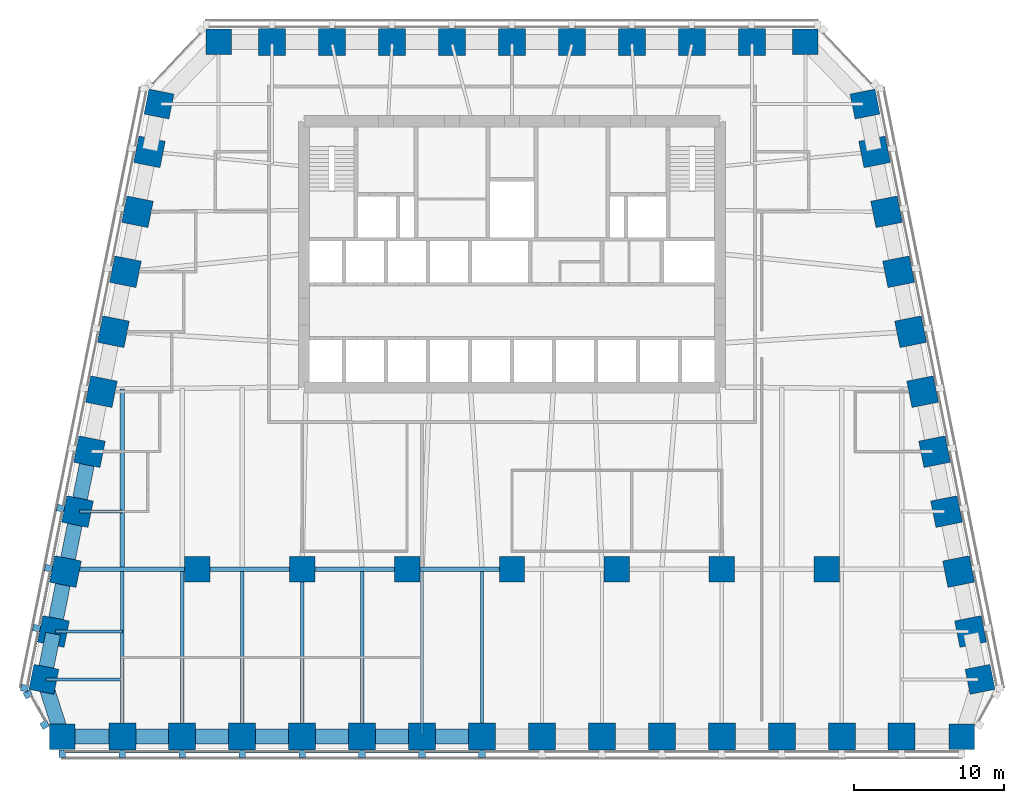
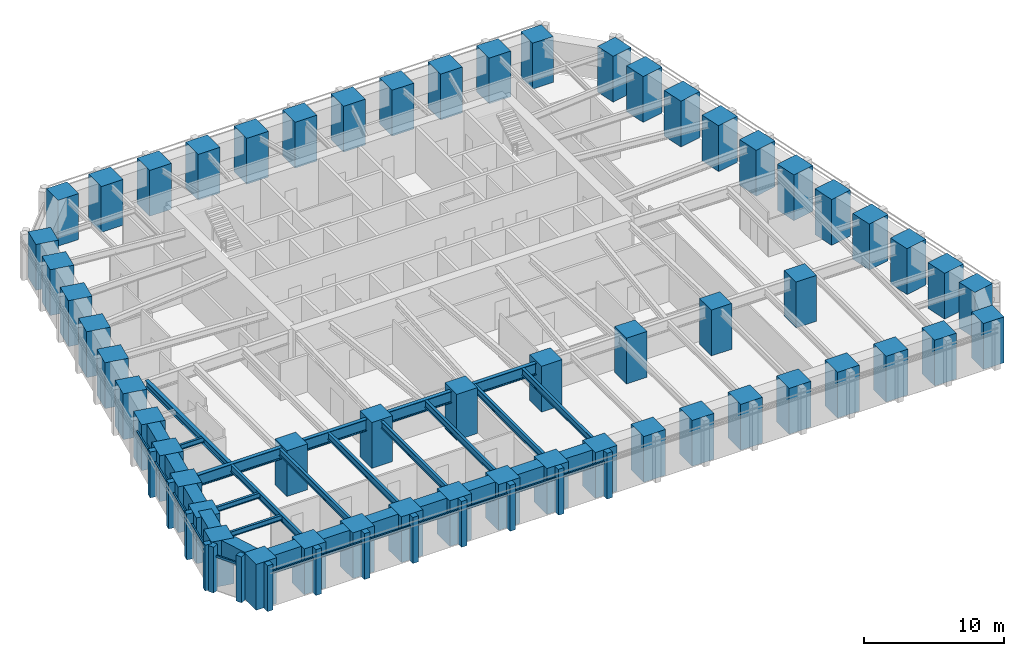
# One storey, part 1 of 10: 56 columns, 27 beams, 26 members, 3 elements without a shape of their own.
"""IFC4 building model written with IfcOpenShell, lengths in metres."""

from ifc_helpers import new_model, si_unit, direction, frame, origin, origin_2d, place, context, subcontext, project, spatial, rectangle, i_section, extrude, material, material_profile, profile_set, type_object, element, aggregate, save


model = new_model("IFC4")

# Units and contexts
model_context = context("Model", 3, precision=1e-05, world=origin(), true_north=direction((0.0, 1.0)))
body_context = subcontext(model_context, "Body", "Model", "MODEL_VIEW")
ifc_project = project(units=[si_unit("LENGTHUNIT", "METRE"), si_unit("AREAUNIT", "SQUARE_METRE"), si_unit("VOLUMEUNIT", "CUBIC_METRE"), si_unit("PLANEANGLEUNIT", "RADIAN"), si_unit("MASSUNIT", "GRAM", prefix="KILO")], contexts=[model_context])

# Site, building, storey
site_placement = place(None, origin())
site = spatial("IfcSite", under=ifc_project, at=site_placement, CompositionType="ELEMENT")
building_placement = place(site_placement, origin())
building = spatial("IfcBuilding", under=site, at=building_placement, Name="Isbrekke Arena Tower", CompositionType="ELEMENT")
storey_placement = place(building_placement, frame((0.0, 0.0, 103.0)))
storey = spatial("IfcBuildingStorey", under=building, at=storey_placement, Name="L22", CompositionType="ELEMENT", Elevation=103.0)

# Columns
ifc_material_1 = material(Name="Concrete B80 (C80/95)", Category="concrete")
ifc_material_profile_1 = material_profile(ifc_material_1, rectangle(XDim=1.699951171875, YDim=1.699951171875, at=origin_2d()), Name="RC 1700x1700")
ifc_profile_set_1 = profile_set([ifc_material_profile_1], Name="Concrete B80 (C80/95)")
column_type_1 = type_object("IfcColumnType", Name="C12 RC 1700 x 1700", PredefinedType="COLUMN", material=ifc_profile_set_1)
for number, where, z_axis, x_axis, name in (
    (1, (-21.0, -6.0, 0.0), (0.0, 0.0, 1.0), (1.0, 0.0, 0.0), "C12 I01"),
    (2, (-14.0, -6.0, 0.0), (0.0, 0.0, 1.0), (1.0, 0.0, 0.0), "C12 I02"),
    (3, (-7.0, -6.0, 0.0), (0.0, 0.0, 1.0), (1.0, 0.0, 0.0), "C12 I03"),
    (4, (0.0, -6.0, 0.0), (0.0, 0.0, 1.0), (1.0, 0.0, 0.0), "C12 I04"),
    (5, (7.0, -6.0, 0.0), (0.0, 0.0, 1.0), (1.0, 0.0, 0.0), "C12 I05"),
    (6, (14.0, -6.0, 0.0), (0.0, 0.0, 1.0), (1.0, 0.0, 0.0), "C12 I06"),
    (7, (21.0, -6.0, 0.0), (0.0, 0.0, 1.0), (1.0, 0.0, 0.0), "C12 I07"),
):
    element("IfcColumn", number, at=place(storey_placement, frame(where, z_axis=z_axis, x_axis=x_axis)), inside=storey, type_object=column_type_1, Name=name, PredefinedType="COLUMN", context=body_context, shape_type="SweptSolid", body=[
        extrude(rectangle(XDim=1.699951171875, YDim=1.699951171875, at=origin_2d()), origin(), (0.0, 0.0, 1.0), 4.0),
    ])
ifc_material_2 = material(Name="Concrete B80 (C80/95)", Category="concrete")
ifc_material_profile_2 = material_profile(ifc_material_2, rectangle(XDim=1.800048828125, YDim=1.800048828125, at=origin_2d()), Name="RC 1800x1800")
ifc_profile_set_2 = profile_set([ifc_material_profile_2], Name="Concrete B80 (C80/95)")
column_type_2 = type_object("IfcColumnType", Name="C3 RC 1800 x 1800", PredefinedType="COLUMN", material=ifc_profile_set_2)
for number, where, z_axis, x_axis, name in (
    (8, (-26.0, -17.175048828125, 0.0), (0.0, 0.0, 1.0), (1.0, 0.0, 0.0), "C3 S02"),
    (9, (-22.0, -17.175048828125, 0.0), (0.0, 0.0, 1.0), (1.0, 0.0, 0.0), "C3 S03"),
    (10, (-18.0, -17.175048828125, 0.0), (0.0, 0.0, 1.0), (1.0, 0.0, 0.0), "C3 S04"),
    (11, (-14.0, -17.175048828125, 0.0), (0.0, 0.0, 1.0), (1.0, 0.0, 0.0), "C3 S05"),
    (12, (-10.0, -17.175048828125, 0.0), (0.0, 0.0, 1.0), (1.0, 0.0, 0.0), "C3 S06"),
    (13, (-6.0, -17.175048828125, 0.0), (0.0, 0.0, 1.0), (1.0, 0.0, 0.0), "C3 S07"),
    (14, (-2.0, -17.175048828125, 0.0), (0.0, 0.0, 1.0), (1.0, 0.0, 0.0), "C3 S08"),
    (15, (2.0, -17.175048828125, 0.0), (0.0, 0.0, 1.0), (1.0, 0.0, 0.0), "C3 S09"),
    (16, (6.0, -17.175048828125, 0.0), (0.0, 0.0, 1.0), (1.0, 0.0, 0.0), "C3 S10"),
    (17, (10.0, -17.175048828125, 0.0), (0.0, 0.0, 1.0), (1.0, 0.0, 0.0), "C3 S11"),
    (18, (14.0, -17.175048828125, 0.0), (0.0, 0.0, 1.0), (1.0, 0.0, 0.0), "C3 S12"),
    (19, (18.0, -17.175048828125, 0.0), (0.0, 0.0, 1.0), (1.0, 0.0, 0.0), "C3 S13"),
    (20, (22.0, -17.175048828125, 0.0), (0.0, 0.0, 1.0), (1.0, 0.0, 0.0), "C3 S14"),
    (21, (26.0, -17.175048828125, 0.0), (0.0, 0.0, 1.0), (1.0, 0.0, 0.0), "C3 S15"),
    (22, (30.591064453125, -10.161865234375, 0.0), (0.0, 0.0, 1.0), (-0.196116135138, 0.980580675691, 0.0), "C3 E02"),
    (23, (29.791015625, -6.161865234375, 0.0), (0.0, 0.0, 1.0), (-0.196116135138, 0.980580675691, 0.0), "C3 E03"),
    (24, (28.990966796875, -2.161865234375, 0.0), (0.0, 0.0, 1.0), (-0.196116135138, 0.980580675691, 0.0), "C3 E04"),
    (25, (28.19091796875, 1.838134765625, 0.0), (0.0, 0.0, 1.0), (-0.196116135138, 0.980580675691, 0.0), "C3 E05"),
    (26, (27.39111328125, 5.838134765625, 0.0), (0.0, 0.0, 1.0), (-0.196116135138, 0.980580675691, 0.0), "C3 E06"),
    (27, (26.591064453125, 9.838134765625, 0.0), (0.0, 0.0, 1.0), (-0.196116135138, 0.980580675691, 0.0), "C3 E07"),
    (28, (25.791015625, 13.838134765625, 0.0), (0.0, 0.0, 1.0), (-0.196116135138, 0.980580675691, 0.0), "C3 E08"),
    (29, (24.990966796875, 17.838134765625, 0.0), (0.0, 0.0, 1.0), (-0.196116135138, 0.980580675691, 0.0), "C3 E09"),
    (30, (24.19091796875, 21.838134765625, 0.0), (0.0, 0.0, 1.0), (-0.196116135138, 0.980580675691, 0.0), "C3 E10"),
    (31, (16.0, 29.175048828125, 0.0), (0.0, 0.0, 1.0), (-1.0, 0.0, 0.0), "C3 N02"),
    (32, (12.0, 29.175048828125, 0.0), (0.0, 0.0, 1.0), (-1.0, 0.0, 0.0), "C3 N03"),
    (33, (8.0, 29.175048828125, 0.0), (0.0, 0.0, 1.0), (-1.0, 0.0, 0.0), "C3 N04"),
    (34, (4.0, 29.175048828125, 0.0), (0.0, 0.0, 1.0), (-1.0, 0.0, 0.0), "C3 N05"),
    (35, (0.0, 29.175048828125, 0.0), (0.0, 0.0, 1.0), (-1.0, 0.0, 0.0), "C3 N06"),
    (36, (-4.0, 29.175048828125, 0.0), (0.0, 0.0, 1.0), (-1.0, 0.0, 0.0), "C3 N07"),
    (37, (-8.0, 29.175048828125, 0.0), (0.0, 0.0, 1.0), (-1.0, 0.0, 0.0), "C3 N08"),
    (38, (-12.0, 29.175048828125, 0.0), (0.0, 0.0, 1.0), (-1.0, 0.0, 0.0), "C3 N09"),
    (39, (-16.0, 29.175048828125, 0.0), (0.0, 0.0, 1.0), (-1.0, 0.0, 0.0), "C3 N10"),
    (40, (-24.19091796875, 21.838134765625, 0.0), (0.0, 0.0, 1.0), (-0.196116135138, -0.980580675691, 0.0), "C3 W02"),
    (41, (-24.990966796875, 17.838134765625, 0.0), (0.0, 0.0, 1.0), (-0.196116135138, -0.980580675691, 0.0), "C3 W03"),
    (42, (-25.791015625, 13.838134765625, 0.0), (0.0, 0.0, 1.0), (-0.196116135138, -0.980580675691, 0.0), "C3 W04"),
    (43, (-26.591064453125, 9.838134765625, 0.0), (0.0, 0.0, 1.0), (-0.196116135138, -0.980580675691, 0.0), "C3 W05"),
    (44, (-27.39111328125, 5.838134765625, 0.0), (0.0, 0.0, 1.0), (-0.196116135138, -0.980580675691, 0.0), "C3 W06"),
    (45, (-28.19091796875, 1.838134765625, 0.0), (0.0, 0.0, 1.0), (-0.196116135138, -0.980580675691, 0.0), "C3 W07"),
    (46, (-28.990966796875, -2.161865234375, 0.0), (0.0, 0.0, 1.0), (-0.196116135138, -0.980580675691, 0.0), "C3 W08"),
    (47, (-29.791015625, -6.161865234375, 0.0), (0.0, 0.0, 1.0), (-0.196116135138, -0.980580675691, 0.0), "C3 W09"),
    (48, (-30.591064453125, -10.161865234375, 0.0), (0.0, 0.0, 1.0), (-0.196116135138, -0.980580675691, 0.0), "C3 W10"),
):
    element("IfcColumn", number, at=place(storey_placement, frame(where, z_axis=z_axis, x_axis=x_axis)), inside=storey, type_object=column_type_2, Name=name, PredefinedType="COLUMN", context=body_context, shape_type="SweptSolid", body=[
        extrude(rectangle(XDim=1.800048828125, YDim=1.800048828125, at=origin_2d()), origin(), (0.0, 0.0, 1.0), 4.0),
    ])
ifc_material_3 = material(Name="Concrete B80 (C80/95)", Category="concrete")
ifc_material_profile_3 = material_profile(ifc_material_3, rectangle(XDim=1.699951171875, YDim=1.699951171875, at=origin_2d()), Name="RC 1700x1700")
ifc_profile_set_3 = profile_set([ifc_material_profile_3], Name="Concrete B80 (C80/95)")
column_type_3 = type_object("IfcColumnType", Name="C7 RC 1700 x 1700", PredefinedType="COLUMN", material=ifc_profile_set_3)
for number, where, z_axis, x_axis, name in (
    (49, (-30.0, -17.175048828125, 0.0), (0.0, 0.0, 1.0), (1.0, 0.0, 0.0), "C7 S01"),
    (50, (30.0, -17.175048828125, 0.0), (0.0, 0.0, 1.0), (1.0, 0.0, 0.0), "C7 S16"),
    (51, (31.229248046875, -13.352783203125, 0.0), (0.0, 0.0, 1.0), (-0.196116135138, 0.980580675691, 0.0), "C7 E01"),
    (52, (23.552734375, 25.029296875, 0.0), (0.0, 0.0, 1.0), (-0.196116135138, 0.980580675691, 0.0), "C7 E11"),
    (53, (19.574951171875, 29.175048828125, 0.0), (0.0, 0.0, 1.0), (-1.0, 0.0, 0.0), "C7 N01"),
    (54, (-19.574951171875, 29.175048828125, 0.0), (0.0, 0.0, 1.0), (-1.0, 0.0, 0.0), "C7 N11"),
    (55, (-23.552734375, 25.029296875, 0.0), (0.0, 0.0, 1.0), (-0.196116135138, -0.980580675691, 0.0), "C7 W01"),
    (56, (-31.229248046875, -13.352783203125, 0.0), (0.0, 0.0, 1.0), (-0.196116135138, -0.980580675691, 0.0), "C7 W11"),
):
    element("IfcColumn", number, at=place(storey_placement, frame(where, z_axis=z_axis, x_axis=x_axis)), inside=storey, type_object=column_type_3, Name=name, PredefinedType="COLUMN", context=body_context, shape_type="SweptSolid", body=[
        extrude(rectangle(XDim=1.699951171875, YDim=1.699951171875, at=origin_2d()), origin(), (0.0, 0.0, 1.0), 4.0),
    ])

# Beams
ifc_material_4 = material(Name="Steel S355", Category="steel")
ifc_material_profile_4 = material_profile(ifc_material_4, i_section(OverallWidth=0.219970703125, OverallDepth=0.60009765625, WebThickness=0.011962890625, FlangeThickness=0.01904296875, FilletRadius=0.02392578125, at=origin_2d()), Name="IPE 600")
ifc_profile_set_4 = profile_set([ifc_material_profile_4], Name="Steel S355")
beam_type_1 = type_object("IfcBeamType", Name="B1 IPE 600", PredefinedType="BEAM", material=ifc_profile_set_4)
for number, where, z_axis, x_axis, name in (
    (57, (-26.0, -17.02490234375, 3.550048828125), (0.0, 1.0, 0.0), (-1.0, 0.0, 0.0), "B1 beam S-S02 L22"),
    (58, (-22.0, -17.02490234375, 3.550048828125), (0.0, 1.0, 0.0), (-1.0, 0.0, 0.0), "B1 beam S-S03 L22"),
    (59, (-18.0, -17.02490234375, 3.550048828125), (0.0, 1.0, 0.0), (-1.0, 0.0, 0.0), "B1 beam S-S04 L22"),
):
    element("IfcBeam", number, at=place(storey_placement, frame(where, z_axis=z_axis, x_axis=x_axis)), inside=storey, type_object=beam_type_1, Name=name, PredefinedType="BEAM", context=body_context, shape_type="SweptSolid", body=[
        extrude(i_section(OverallWidth=0.219970703125, OverallDepth=0.60009765625, WebThickness=0.011962890625, FlangeThickness=0.01904296875, FilletRadius=0.02392578125, at=origin_2d()), origin(), (0.0, 0.0, 1.0), 10.8740234375),
    ])
beam_1_placement = place(storey_placement, frame((-14.0, -17.02490234375, 3.550048828125), z_axis=(0.0, 1.0, 0.0), x_axis=(-1.0, 0.0, 0.0)))
element("IfcBeam", 60, at=beam_1_placement, inside=storey, type_object=beam_type_1, Name="B1 beam S-S05 L22", PredefinedType="BEAM", context=body_context, shape_type="SweptSolid", body=[
    extrude(i_section(OverallWidth=0.219970703125, OverallDepth=0.60009765625, WebThickness=0.011962890625, FlangeThickness=0.01904296875, FilletRadius=0.02392578125, at=origin_2d()), origin(), (0.0, 0.0, 1.0), 10.875),
])
for number, where, z_axis, x_axis, name in (
    (61, (-10.0, -17.02490234375, 3.550048828125), (0.0, 1.0, 0.0), (-1.0, 0.0, 0.0), "B1 beam S-S06 L22"),
    (62, (-6.0, -17.02490234375, 3.550048828125), (0.0, 1.0, 0.0), (-1.0, 0.0, 0.0), "B1 beam S-S07 L22"),
    (63, (-2.0, -17.02490234375, 3.550048828125), (0.0, 1.0, 0.0), (-1.0, 0.0, 0.0), "B1 beam S-S08 L22"),
):
    element("IfcBeam", number, at=place(storey_placement, frame(where, z_axis=z_axis, x_axis=x_axis)), inside=storey, type_object=beam_type_1, Name=name, PredefinedType="BEAM", context=body_context, shape_type="SweptSolid", body=[
        extrude(i_section(OverallWidth=0.219970703125, OverallDepth=0.60009765625, WebThickness=0.011962890625, FlangeThickness=0.01904296875, FilletRadius=0.02392578125, at=origin_2d()), origin(), (0.0, 0.0, 1.0), 10.8740234375),
    ])
ifc_material_5 = material(Name="Steel S355", Category="steel")
ifc_material_profile_5 = material_profile(ifc_material_5, i_section(OverallWidth=0.18994140625, OverallDepth=0.449951171875, WebThickness=0.009521484375, FlangeThickness=0.0146484375, FilletRadius=0.02099609375, at=origin_2d()), Name="IPE 450")
ifc_profile_set_5 = profile_set([ifc_material_profile_5], Name="Steel S355")
beam_type_2 = type_object("IfcBeamType", Name="B2 IPE 450", PredefinedType="BEAM", material=ifc_profile_set_5)
beam_2_placement = place(storey_placement, frame((-28.841064453125, -2.161865234375, 3.625), z_axis=(1.0, 0.0, 0.0), x_axis=(0.0, 1.0, 0.0)))
element("IfcBeam", 64, at=beam_2_placement, inside=storey, type_object=beam_type_2, Name="B2 beam E-W08 L22", PredefinedType="BEAM", context=body_context, shape_type="SweptSolid", body=[
    extrude(i_section(OverallWidth=0.18994140625, OverallDepth=0.449951171875, WebThickness=0.009521484375, FlangeThickness=0.0146484375, FilletRadius=0.02099609375, at=origin_2d()), origin(), (0.0, 0.0, 1.0), 2.841064453125),
])
beam_3_placement = place(storey_placement, frame((-30.44091796875, -10.161865234375, 3.625), z_axis=(1.0, 0.0, 0.0), x_axis=(0.0, 1.0, 0.0)))
element("IfcBeam", 65, at=beam_3_placement, inside=storey, type_object=beam_type_2, Name="B2 beam E-W10 L22", PredefinedType="BEAM", context=body_context, shape_type="SweptSolid", body=[
    extrude(i_section(OverallWidth=0.18994140625, OverallDepth=0.449951171875, WebThickness=0.009521484375, FlangeThickness=0.0146484375, FilletRadius=0.02099609375, at=origin_2d()), origin(), (0.0, 0.0, 1.0), 4.44091796875),
])
beam_4_placement = place(storey_placement, frame((-31.079345703125, -13.352783203125, 3.625), z_axis=(1.0, 0.0, 0.0), x_axis=(0.0, 1.0, 0.0)))
element("IfcBeam", 66, at=beam_4_placement, inside=storey, type_object=beam_type_2, Name="B2 beam E-W11 L22", PredefinedType="BEAM", context=body_context, shape_type="SweptSolid", body=[
    extrude(i_section(OverallWidth=0.18994140625, OverallDepth=0.449951171875, WebThickness=0.009521484375, FlangeThickness=0.0146484375, FilletRadius=0.02099609375, at=origin_2d()), origin(), (0.0, 0.0, 1.0), 5.079345703125),
])
ifc_material_6 = material(Name="Steel S355", Category="steel")
ifc_material_profile_6 = material_profile(ifc_material_6, i_section(OverallWidth=0.300048828125, OverallDepth=0.60009765625, WebThickness=0.015380859375, FlangeThickness=0.030029296875, FilletRadius=0.027099609375, at=origin_2d()), Name="HEB 600")
ifc_profile_set_6 = profile_set([ifc_material_profile_6], Name="Steel S355")
beam_type_3 = type_object("IfcBeamType", Name="B7 HEB 600", PredefinedType="BEAM", material=ifc_profile_set_6)
beam_5_placement = place(storey_placement, frame((-26.0, -5.84912109375, 3.550048828125), z_axis=(0.0, 1.0, 0.0), x_axis=(-1.0, 0.0, 0.0)))
element("IfcBeam", 67, at=beam_5_placement, inside=storey, type_object=beam_type_3, Name="B7 beam C-M01 L22", PredefinedType="BEAM", context=body_context, shape_type="SweptSolid", body=[
    extrude(i_section(OverallWidth=0.300048828125, OverallDepth=0.60009765625, WebThickness=0.015380859375, FlangeThickness=0.030029296875, FilletRadius=0.027099609375, at=origin_2d()), origin(), (0.0, 0.0, 1.0), 11.864990234375),
])

# Curtain wall, members
ifc_material_7 = material(Name="Glazed aluminium curtain wall", Category="aluminium")
curtain_wall_type = type_object("IfcCurtainWallType", Name="CWM TOWER CURTAIN WALL MID ZONE", PredefinedType="USERDEFINED", material=ifc_material_7)
curtain_wall_1_placement = place(storey_placement, origin())
curtain_wall_1 = element("IfcCurtainWall", 68, at=curtain_wall_1_placement, inside=storey, type_object=curtain_wall_type, Name="CWM curtain wall L22-S", ObjectType="TOWER CURTAIN WALL MID ZONE", PredefinedType="USERDEFINED")
ifc_material_8 = material(Name="Aluminium mullion, pale brick slip cladding", Category="masonry")
ifc_material_profile_7 = material_profile(ifc_material_8, rectangle(XDim=0.449951171875, YDim=0.5, at=origin_2d()), Name="PIER 450X500")
ifc_profile_set_7 = profile_set([ifc_material_profile_7], Name="Aluminium mullion, pale brick slip cladding")
member_type_1 = type_object("IfcMemberType", Name="CWM-M PIER MULLION 450 x 500", PredefinedType="MULLION", material=ifc_profile_set_7)
member_1_placement = place(storey_placement, frame((-30.0, -18.324951171875, 0.0), z_axis=(0.0, 0.0, 1.0), x_axis=(1.0, 0.0, 0.0)))
member_1 = element("IfcMember", 69, at=member_1_placement, type_object=member_type_1, Name="CWM-M mullion 1", PredefinedType="MULLION", context=body_context, shape_type="SweptSolid", body=[
    extrude(rectangle(XDim=0.449951171875, YDim=0.5, at=origin_2d()), origin(), (0.0, 0.0, 1.0), 4.0),
])
member_2_placement = place(storey_placement, frame((-26.0, -18.324951171875, 0.0), z_axis=(0.0, 0.0, 1.0), x_axis=(1.0, 0.0, 0.0)))
member_2 = element("IfcMember", 70, at=member_2_placement, type_object=member_type_1, Name="CWM-M mullion 2", PredefinedType="MULLION", context=body_context, shape_type="SweptSolid", body=[
    extrude(rectangle(XDim=0.449951171875, YDim=0.5, at=origin_2d()), origin(), (0.0, 0.0, 1.0), 4.0),
])
member_3_placement = place(storey_placement, frame((-22.0, -18.324951171875, 0.0), z_axis=(0.0, 0.0, 1.0), x_axis=(1.0, 0.0, 0.0)))
member_3 = element("IfcMember", 71, at=member_3_placement, type_object=member_type_1, Name="CWM-M mullion 3", PredefinedType="MULLION", context=body_context, shape_type="SweptSolid", body=[
    extrude(rectangle(XDim=0.449951171875, YDim=0.5, at=origin_2d()), origin(), (0.0, 0.0, 1.0), 4.0),
])
member_4_placement = place(storey_placement, frame((-18.0, -18.324951171875, 0.0), z_axis=(0.0, 0.0, 1.0), x_axis=(1.0, 0.0, 0.0)))
member_4 = element("IfcMember", 72, at=member_4_placement, type_object=member_type_1, Name="CWM-M mullion 4", PredefinedType="MULLION", context=body_context, shape_type="SweptSolid", body=[
    extrude(rectangle(XDim=0.449951171875, YDim=0.5, at=origin_2d()), origin(), (0.0, 0.0, 1.0), 4.0),
])
member_5_placement = place(storey_placement, frame((-14.0, -18.324951171875, 0.0), z_axis=(0.0, 0.0, 1.0), x_axis=(1.0, 0.0, 0.0)))
member_5 = element("IfcMember", 73, at=member_5_placement, type_object=member_type_1, Name="CWM-M mullion 5", PredefinedType="MULLION", context=body_context, shape_type="SweptSolid", body=[
    extrude(rectangle(XDim=0.449951171875, YDim=0.5, at=origin_2d()), origin(), (0.0, 0.0, 1.0), 4.0),
])
member_6_placement = place(storey_placement, frame((-10.0, -18.324951171875, 0.0), z_axis=(0.0, 0.0, 1.0), x_axis=(1.0, 0.0, 0.0)))
member_6 = element("IfcMember", 74, at=member_6_placement, type_object=member_type_1, Name="CWM-M mullion 6", PredefinedType="MULLION", context=body_context, shape_type="SweptSolid", body=[
    extrude(rectangle(XDim=0.449951171875, YDim=0.5, at=origin_2d()), origin(), (0.0, 0.0, 1.0), 4.0),
])
member_7_placement = place(storey_placement, frame((-6.0, -18.324951171875, 0.0), z_axis=(0.0, 0.0, 1.0), x_axis=(1.0, 0.0, 0.0)))
member_7 = element("IfcMember", 75, at=member_7_placement, type_object=member_type_1, Name="CWM-M mullion 7", PredefinedType="MULLION", context=body_context, shape_type="SweptSolid", body=[
    extrude(rectangle(XDim=0.449951171875, YDim=0.5, at=origin_2d()), origin(), (0.0, 0.0, 1.0), 4.0),
])
member_8_placement = place(storey_placement, frame((-2.0, -18.324951171875, 0.0), z_axis=(0.0, 0.0, 1.0), x_axis=(1.0, 0.0, 0.0)))
member_8 = element("IfcMember", 76, at=member_8_placement, type_object=member_type_1, Name="CWM-M mullion 8", PredefinedType="MULLION", context=body_context, shape_type="SweptSolid", body=[
    extrude(rectangle(XDim=0.449951171875, YDim=0.5, at=origin_2d()), origin(), (0.0, 0.0, 1.0), 4.0),
])

curtain_wall_2_placement = place(storey_placement, origin())
curtain_wall_2 = element("IfcCurtainWall", 77, at=curtain_wall_2_placement, inside=storey, type_object=curtain_wall_type, Name="CWM curtain wall L22-W", ObjectType="TOWER CURTAIN WALL MID ZONE", PredefinedType="USERDEFINED")
member_9_placement = place(storey_placement, frame((-30.11865234375, -1.936279296875, 0.0), z_axis=(0.0, 0.0, 1.0), x_axis=(-0.196116135138, -0.980580675691, 0.0)))
member_9 = element("IfcMember", 78, at=member_9_placement, type_object=member_type_1, Name="CWM-M mullion 8", PredefinedType="MULLION", context=body_context, shape_type="SweptSolid", body=[
    extrude(rectangle(XDim=0.449951171875, YDim=0.5, at=origin_2d()), origin(), (0.0, 0.0, 1.0), 4.0),
])
member_10_placement = place(storey_placement, frame((-30.918701171875, -5.936279296875, 0.0), z_axis=(0.0, 0.0, 1.0), x_axis=(-0.196116135138, -0.980580675691, 0.0)))
member_10 = element("IfcMember", 79, at=member_10_placement, type_object=member_type_1, Name="CWM-M mullion 9", PredefinedType="MULLION", context=body_context, shape_type="SweptSolid", body=[
    extrude(rectangle(XDim=0.449951171875, YDim=0.5, at=origin_2d()), origin(), (0.0, 0.0, 1.0), 4.0),
])
member_11_placement = place(storey_placement, frame((-31.71875, -9.936279296875, 0.0), z_axis=(0.0, 0.0, 1.0), x_axis=(-0.196116135138, -0.980580675691, 0.0)))
member_11 = element("IfcMember", 80, at=member_11_placement, type_object=member_type_1, Name="CWM-M mullion 10", PredefinedType="MULLION", context=body_context, shape_type="SweptSolid", body=[
    extrude(rectangle(XDim=0.449951171875, YDim=0.5, at=origin_2d()), origin(), (0.0, 0.0, 1.0), 4.0),
])
member_12_placement = place(storey_placement, frame((-32.518798828125, -13.936279296875, 0.0), z_axis=(0.0, 0.0, 1.0), x_axis=(-0.196116135138, -0.980580675691, 0.0)))
member_12 = element("IfcMember", 81, at=member_12_placement, type_object=member_type_1, Name="CWM-M mullion 11", PredefinedType="MULLION", context=body_context, shape_type="SweptSolid", body=[
    extrude(rectangle(XDim=0.449951171875, YDim=0.5, at=origin_2d()), origin(), (0.0, 0.0, 1.0), 4.0),
])

curtain_wall_3_placement = place(storey_placement, origin())
curtain_wall_3 = element("IfcCurtainWall", 82, at=curtain_wall_3_placement, inside=storey, type_object=curtain_wall_type, Name="CWM curtain wall L22-WS", ObjectType="TOWER CURTAIN WALL MID ZONE", PredefinedType="USERDEFINED")
member_13_placement = place(storey_placement, frame((-32.29638671875, -14.34326171875, 0.0), z_axis=(0.0, 0.0, 1.0), x_axis=(0.481918749773, -0.876215908676, 0.0)))
member_13 = element("IfcMember", 83, at=member_13_placement, type_object=member_type_1, Name="CWM-M mullion 1", PredefinedType="MULLION", context=body_context, shape_type="SweptSolid", body=[
    extrude(rectangle(XDim=0.449951171875, YDim=0.5, at=origin_2d()), origin(), (0.0, 0.0, 1.0), 4.0),
])
member_14_placement = place(storey_placement, frame((-31.174560546875, -16.38330078125, 0.0), z_axis=(0.0, 0.0, 1.0), x_axis=(0.481918749773, -0.876215908676, 0.0)))
member_14 = element("IfcMember", 84, at=member_14_placement, type_object=member_type_1, Name="CWM-M mullion 2", PredefinedType="MULLION", context=body_context, shape_type="SweptSolid", body=[
    extrude(rectangle(XDim=0.449951171875, YDim=0.5, at=origin_2d()), origin(), (0.0, 0.0, 1.0), 4.0),
])

# Member
ifc_material_9 = material(Name="Aluminium transom", Category="aluminium")
ifc_material_profile_8 = material_profile(ifc_material_9, rectangle(XDim=0.1201171875, YDim=0.199951171875, at=origin_2d()), Name="TRANSOM 120X200")
ifc_profile_set_8 = profile_set([ifc_material_profile_8], Name="Aluminium transom")
member_type_2 = type_object("IfcMemberType", Name="CWM-T TRANSOM 120 x 200", PredefinedType="USERDEFINED", material=ifc_profile_set_8)
member_15_placement = place(storey_placement, frame((-29.77490234375, -18.175048828125, 3.0), z_axis=(1.0, 0.0, 0.0), x_axis=(0.0, 1.0, 0.0)))
member_15 = element("IfcMember", 85, at=member_15_placement, type_object=member_type_2, Name="CWM-T transom 1", ObjectType="TRANSOM", PredefinedType="USERDEFINED", context=body_context, shape_type="SweptSolid", body=[
    extrude(rectangle(XDim=0.1201171875, YDim=0.199951171875, at=origin_2d()), origin(), (0.0, 0.0, 1.0), 3.5498046875),
])

member_16_placement = place(storey_placement, frame((-25.77490234375, -18.175048828125, 3.0), z_axis=(1.0, 0.0, 0.0), x_axis=(0.0, 1.0, 0.0)))
member_16 = element("IfcMember", 86, at=member_16_placement, type_object=member_type_2, Name="CWM-T transom 2", ObjectType="TRANSOM", PredefinedType="USERDEFINED", context=body_context, shape_type="SweptSolid", body=[
    extrude(rectangle(XDim=0.1201171875, YDim=0.199951171875, at=origin_2d()), origin(), (0.0, 0.0, 1.0), 3.5498046875),
])

member_17_placement = place(storey_placement, frame((-21.77490234375, -18.175048828125, 3.0), z_axis=(1.0, 0.0, 0.0), x_axis=(0.0, 1.0, 0.0)))
member_17 = element("IfcMember", 87, at=member_17_placement, type_object=member_type_2, Name="CWM-T transom 3", ObjectType="TRANSOM", PredefinedType="USERDEFINED", context=body_context, shape_type="SweptSolid", body=[
    extrude(rectangle(XDim=0.1201171875, YDim=0.199951171875, at=origin_2d()), origin(), (0.0, 0.0, 1.0), 3.5498046875),
])

member_18_placement = place(storey_placement, frame((-17.77490234375, -18.175048828125, 3.0), z_axis=(1.0, 0.0, 0.0), x_axis=(0.0, 1.0, 0.0)))
member_18 = element("IfcMember", 88, at=member_18_placement, type_object=member_type_2, Name="CWM-T transom 4", ObjectType="TRANSOM", PredefinedType="USERDEFINED", context=body_context, shape_type="SweptSolid", body=[
    extrude(rectangle(XDim=0.1201171875, YDim=0.199951171875, at=origin_2d()), origin(), (0.0, 0.0, 1.0), 3.5498046875),
])

member_19_placement = place(storey_placement, frame((-13.77490234375, -18.175048828125, 3.0), z_axis=(1.0, 0.0, 0.0), x_axis=(0.0, 1.0, 0.0)))
member_19 = element("IfcMember", 89, at=member_19_placement, type_object=member_type_2, Name="CWM-T transom 5", ObjectType="TRANSOM", PredefinedType="USERDEFINED", context=body_context, shape_type="SweptSolid", body=[
    extrude(rectangle(XDim=0.1201171875, YDim=0.199951171875, at=origin_2d()), origin(), (0.0, 0.0, 1.0), 3.5498046875),
])

member_20_placement = place(storey_placement, frame((-9.77490234375, -18.175048828125, 3.0), z_axis=(1.0, 0.0, 0.0), x_axis=(0.0, 1.0, 0.0)))
member_20 = element("IfcMember", 90, at=member_20_placement, type_object=member_type_2, Name="CWM-T transom 6", ObjectType="TRANSOM", PredefinedType="USERDEFINED", context=body_context, shape_type="SweptSolid", body=[
    extrude(rectangle(XDim=0.1201171875, YDim=0.199951171875, at=origin_2d()), origin(), (0.0, 0.0, 1.0), 3.5498046875),
])

member_21_placement = place(storey_placement, frame((-5.77490234375, -18.175048828125, 3.0), z_axis=(1.0, 0.0, 0.0), x_axis=(0.0, 1.0, 0.0)))
member_21 = element("IfcMember", 91, at=member_21_placement, type_object=member_type_2, Name="CWM-T transom 7", ObjectType="TRANSOM", PredefinedType="USERDEFINED", context=body_context, shape_type="SweptSolid", body=[
    extrude(rectangle(XDim=0.1201171875, YDim=0.199951171875, at=origin_2d()), origin(), (0.0, 0.0, 1.0), 3.5498046875),
])

aggregate(curtain_wall_1, [member_1, member_2, member_3, member_4, member_5, member_6, member_7, member_8, member_15, member_16, member_17, member_18, member_19, member_20, member_21])

member_22_placement = place(storey_placement, frame((-29.2158203125, 1.813720703125, 3.0), z_axis=(-0.196090262229, -0.980585849918, 0.0), x_axis=(0.980585849918, -0.196090262229, 0.0)))
member_22 = element("IfcMember", 92, at=member_22_placement, type_object=member_type_2, Name="CWM-T transom 7", ObjectType="TRANSOM", PredefinedType="USERDEFINED", context=body_context, shape_type="SweptSolid", body=[
    extrude(rectangle(XDim=0.1201171875, YDim=0.199951171875, at=origin_2d()), origin(), (0.0, 0.0, 1.0), 3.62939453125),
])

member_23_placement = place(storey_placement, frame((-30.015625, -2.186279296875, 3.0), z_axis=(-0.196154943734, -0.980572913173, 0.0), x_axis=(0.980572913173, -0.196154943734, 0.0)))
member_23 = element("IfcMember", 93, at=member_23_placement, type_object=member_type_2, Name="CWM-T transom 8", ObjectType="TRANSOM", PredefinedType="USERDEFINED", context=body_context, shape_type="SweptSolid", body=[
    extrude(rectangle(XDim=0.1201171875, YDim=0.199951171875, at=origin_2d()), origin(), (0.0, 0.0, 1.0), 3.62939453125),
])

member_24_placement = place(storey_placement, frame((-30.815673828125, -6.186279296875, 3.0), z_axis=(-0.196154943734, -0.980572913173, 0.0), x_axis=(0.980572913173, -0.196154943734, 0.0)))
member_24 = element("IfcMember", 94, at=member_24_placement, type_object=member_type_2, Name="CWM-T transom 9", ObjectType="TRANSOM", PredefinedType="USERDEFINED", context=body_context, shape_type="SweptSolid", body=[
    extrude(rectangle(XDim=0.1201171875, YDim=0.199951171875, at=origin_2d()), origin(), (0.0, 0.0, 1.0), 3.62939453125),
])

member_25_placement = place(storey_placement, frame((-31.61572265625, -10.186279296875, 3.0), z_axis=(-0.196090262229, -0.980585849918, 0.0), x_axis=(0.980585849918, -0.196090262229, 0.0)))
member_25 = element("IfcMember", 95, at=member_25_placement, type_object=member_type_2, Name="CWM-T transom 10", ObjectType="TRANSOM", PredefinedType="USERDEFINED", context=body_context, shape_type="SweptSolid", body=[
    extrude(rectangle(XDim=0.1201171875, YDim=0.199951171875, at=origin_2d()), origin(), (0.0, 0.0, 1.0), 3.62939453125),
])

aggregate(curtain_wall_2, [member_9, member_10, member_11, member_12, member_22, member_23, member_24, member_25])

member_26_placement = place(storey_placement, frame((-32.056640625, -14.46826171875, 3.0), z_axis=(0.481918749772, -0.876215908677, 0.0), x_axis=(0.876215908677, 0.481918749772, 0.0)))
member_26 = element("IfcMember", 96, at=member_26_placement, type_object=member_type_2, Name="CWM-T transom 1", ObjectType="TRANSOM", PredefinedType="USERDEFINED", context=body_context, shape_type="SweptSolid", body=[
    extrude(rectangle(XDim=0.1201171875, YDim=0.199951171875, at=origin_2d()), origin(), (0.0, 0.0, 1.0), 1.8779296875),
])

aggregate(curtain_wall_3, [member_13, member_14, member_26])

# Beams
ifc_material_10 = material(Name="Steel S355", Category="steel")
ifc_material_profile_9 = material_profile(ifc_material_10, i_section(OverallWidth=0.302001953125, OverallDepth=1.008056640625, WebThickness=0.02099609375, FlangeThickness=0.0400390625, FilletRadius=0.030029296875, at=origin_2d()), Name="HEM 1000")
ifc_profile_set_9 = profile_set([ifc_material_profile_9], Name="Steel S355")
beam_type_4 = type_object("IfcBeamType", Name="G1 HEM 1000", PredefinedType="BEAM", material=ifc_profile_set_9)
beam_6_placement = place(storey_placement, frame((-29.791015625, -6.0, 3.345947265625), z_axis=(1.0, 0.0, 0.0), x_axis=(0.0, 1.0, 0.0)))
element("IfcBeam", 97, at=beam_6_placement, inside=storey, type_object=beam_type_4, Name="G1 beam G1-01 L22", PredefinedType="BEAM", context=body_context, shape_type="SweptSolid", body=[
    extrude(i_section(OverallWidth=0.302001953125, OverallDepth=1.008056640625, WebThickness=0.02099609375, FlangeThickness=0.0400390625, FilletRadius=0.030029296875, at=origin_2d()), origin(), (0.0, 0.0, 1.0), 8.64111328125),
])
for number, where, z_axis, x_axis, name in (
    (98, (-20.85009765625, -6.0, 3.345947265625), (1.0, 0.0, 0.0), (0.0, 1.0, 0.0), "G1 beam G1-02 L22"),
    (99, (-13.85009765625, -6.0, 3.345947265625), (1.0, 0.0, 0.0), (0.0, 1.0, 0.0), "G1 beam G1-03 L22"),
    (100, (-6.85009765625, -6.0, 3.345947265625), (1.0, 0.0, 0.0), (0.0, 1.0, 0.0), "G1 beam G1-04 L22"),
):
    element("IfcBeam", number, at=place(storey_placement, frame(where, z_axis=z_axis, x_axis=x_axis)), inside=storey, type_object=beam_type_4, Name=name, PredefinedType="BEAM", context=body_context, shape_type="SweptSolid", body=[
        extrude(i_section(OverallWidth=0.302001953125, OverallDepth=1.008056640625, WebThickness=0.02099609375, FlangeThickness=0.0400390625, FilletRadius=0.030029296875, at=origin_2d()), origin(), (0.0, 0.0, 1.0), 6.7001953125),
    ])
ifc_material_11 = material(Name="Concrete B80 (C80/95)", Category="concrete")
ifc_material_profile_10 = material_profile(ifc_material_11, rectangle(XDim=1.0, YDim=1.60009765625, at=origin_2d()), Name="RC 1000x1600")
ifc_profile_set_10 = profile_set([ifc_material_profile_10], Name="Concrete B80 (C80/95)")
beam_type_5 = type_object("IfcBeamType", Name="SB2 RC 1000 x 1600", PredefinedType="SPANDREL", material=ifc_profile_set_10)
for number, where, z_axis, x_axis, name in (
    (101, (-29.85009765625, -17.175048828125, 3.199951171875), (1.0, 0.0, 0.0), (0.0, 1.0, 0.0), "SB2 spandrel S01-S02 L22"),
    (102, (-25.85009765625, -17.175048828125, 3.199951171875), (1.0, 0.0, 0.0), (0.0, 1.0, 0.0), "SB2 spandrel S02-S03 L22"),
    (103, (-21.85009765625, -17.175048828125, 3.199951171875), (1.0, 0.0, 0.0), (0.0, 1.0, 0.0), "SB2 spandrel S03-S04 L22"),
    (104, (-17.85009765625, -17.175048828125, 3.199951171875), (1.0, 0.0, 0.0), (0.0, 1.0, 0.0), "SB2 spandrel S04-S05 L22"),
    (105, (-13.85009765625, -17.175048828125, 3.199951171875), (1.0, 0.0, 0.0), (0.0, 1.0, 0.0), "SB2 spandrel S05-S06 L22"),
    (106, (-9.85009765625, -17.175048828125, 3.199951171875), (1.0, 0.0, 0.0), (0.0, 1.0, 0.0), "SB2 spandrel S06-S07 L22"),
    (107, (-5.85009765625, -17.175048828125, 3.199951171875), (1.0, 0.0, 0.0), (0.0, 1.0, 0.0), "SB2 spandrel S07-S08 L22"),
):
    element("IfcBeam", number, at=place(storey_placement, frame(where, z_axis=z_axis, x_axis=x_axis)), inside=storey, type_object=beam_type_5, Name=name, PredefinedType="SPANDREL", context=body_context, shape_type="SweptSolid", body=[
        extrude(rectangle(XDim=1.0, YDim=1.60009765625, at=origin_2d()), origin(), (0.0, 0.0, 1.0), 3.7001953125),
    ])
for number, where, z_axis, x_axis, name in (
    (108, (-28.220458984375, 1.691162109375, 3.199951171875), (-0.196128558387, -0.980578190959, 0.0), (0.980578190959, -0.196128558387, 0.0), "SB2 spandrel W07-W08 L22"),
    (109, (-29.0205078125, -2.308837890625, 3.199951171875), (-0.196128558387, -0.980578190959, 0.0), (0.980578190959, -0.196128558387, 0.0), "SB2 spandrel W08-W09 L22"),
):
    element("IfcBeam", number, at=place(storey_placement, frame(where, z_axis=z_axis, x_axis=x_axis)), inside=storey, type_object=beam_type_5, Name=name, PredefinedType="SPANDREL", context=body_context, shape_type="SweptSolid", body=[
        extrude(rectangle(XDim=1.0, YDim=1.60009765625, at=origin_2d()), origin(), (0.0, 0.0, 1.0), 3.779296875),
    ])
beam_7_placement = place(storey_placement, frame((-29.820556640625, -6.308837890625, 3.199951171875), z_axis=(-0.1960664412, -0.980590613169, 0.0), x_axis=(0.980590613169, -0.1960664412, 0.0)))
element("IfcBeam", 110, at=beam_7_placement, inside=storey, type_object=beam_type_5, Name="SB2 spandrel W09-W10 L22", PredefinedType="SPANDREL", context=body_context, shape_type="SweptSolid", body=[
    extrude(rectangle(XDim=1.0, YDim=1.60009765625, at=origin_2d()), origin(), (0.0, 0.0, 1.0), 3.779052734375),
])
beam_8_placement = place(storey_placement, frame((-30.620361328125, -10.308837890625, 3.199951171875), z_axis=(-0.196100243168, -0.980583853951, 0.0), x_axis=(0.980583853951, -0.196100243168, 0.0)))
element("IfcBeam", 111, at=beam_8_placement, inside=storey, type_object=beam_type_5, Name="SB2 spandrel W10-W11 L22", PredefinedType="SPANDREL", context=body_context, shape_type="SweptSolid", body=[
    extrude(rectangle(XDim=1.0, YDim=1.60009765625, at=origin_2d()), origin(), (0.0, 0.0, 1.0), 2.954345703125),
])
beam_9_placement = place(storey_placement, frame((-31.183349609375, -13.49560546875, 3.199951171875), z_axis=(0.306175101476, -0.951975213562, 0.0), x_axis=(0.951975213562, 0.306175101476, 0.0)))
element("IfcBeam", 112, at=beam_9_placement, inside=storey, type_object=beam_type_5, Name="SB2 spandrel W11-S01 L22", PredefinedType="SPANDREL", context=body_context, shape_type="SweptSolid", body=[
    extrude(rectangle(XDim=1.0, YDim=1.60009765625, at=origin_2d()), origin(), (0.0, 0.0, 1.0), 3.715087890625),
])

save(model, "model.ifc")
